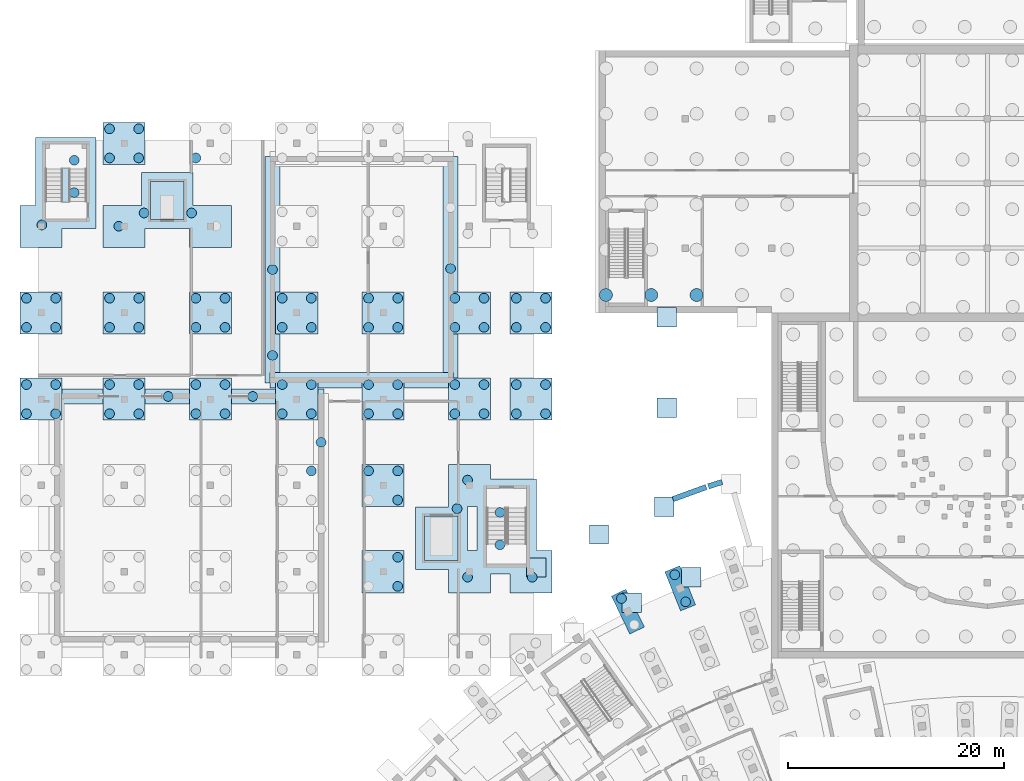
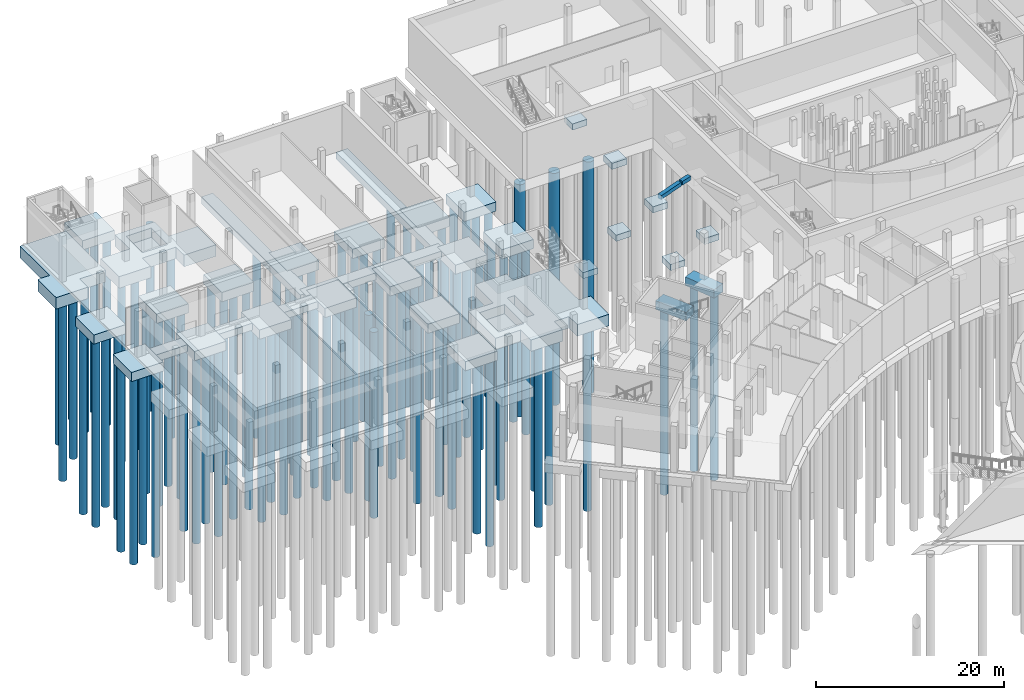
# One storey, part 5 of 66: 91 piles, 37 footings.
"""IFC4 building model written with IfcOpenShell, lengths in metres."""

from ifc_helpers import new_model, si_unit, direction, frame, origin, origin_2d, place, context, subcontext, project, spatial, polyline, circle, outline, extrude, material, material_profile, profile_set, type_object, element, save


model = new_model("IFC4")

# Units and contexts
model_context = context("Model", 3, precision=1e-05, world=origin(), true_north=direction((0.0, 1.0)))
body_context = subcontext(model_context, "Body", "Model", "MODEL_VIEW")
ifc_project = project(units=[si_unit("LENGTHUNIT", "METRE"), si_unit("AREAUNIT", "SQUARE_METRE"), si_unit("VOLUMEUNIT", "CUBIC_METRE"), si_unit("PLANEANGLEUNIT", "RADIAN"), si_unit("MASSUNIT", "GRAM", prefix="KILO")], contexts=[model_context])

# Site, building, storey
site_placement = place(None, origin())
site = spatial("IfcSite", under=ifc_project, at=site_placement, CompositionType="ELEMENT")
building_placement = place(site_placement, origin())
building = spatial("IfcBuilding", under=site, at=building_placement, Name="Lunette Opera House", CompositionType="ELEMENT")
storey_placement = place(building_placement, frame((0.0, 0.0, -6.0)))
storey = spatial("IfcBuildingStorey", under=building, at=storey_placement, Name="B1", CompositionType="ELEMENT", Elevation=-6.0)

# Piles
ifc_material_1 = material(Name="Concrete C40/50", Category="concrete")
ifc_material_profile_1 = material_profile(ifc_material_1, circle(Radius=0.60009765625, at=origin_2d()), Name="BORED PILE 1200")
ifc_profile_set_1 = profile_set([ifc_material_profile_1], Name="Concrete C40/50")
pile_type_1 = type_object("IfcPileType", Name="BORED PILE 1200", PredefinedType="BORED", material=ifc_profile_set_1)
for number, where, z_axis, x_axis, name in (
    (1, (60.64990234375, 97.64990234375, -1.60009765625), (0.0, 0.0, -1.0), (1.0, 0.0, 0.0), "pile-ST-R3-01"),
    (2, (64.85009765625, 97.64990234375, -1.60009765625), (0.0, 0.0, -1.0), (1.0, 0.0, 0.0), "pile-ST-R3-07"),
    (3, (69.050048828125, 97.64990234375, -1.60009765625), (0.0, 0.0, -1.0), (1.0, 0.0, 0.0), "pile-ST-R3-13"),
):
    element("IfcPile", number, at=place(storey_placement, frame(where, z_axis=z_axis, x_axis=x_axis)), inside=storey, type_object=pile_type_1, Name=name, PredefinedType="BORED", context=body_context, shape_type="SweptSolid", body=[
        extrude(circle(Radius=0.60009765625, at=origin_2d()), origin(), (0.0, 0.0, 1.0), 30.10009765625),
    ])
ifc_material_2 = material(Name="Concrete C40/50", Category="concrete")
ifc_material_profile_2 = material_profile(ifc_material_2, circle(Radius=0.449951171875, at=origin_2d()), Name="BORED PILE 900")
ifc_profile_set_2 = profile_set([ifc_material_profile_2], Name="Concrete C40/50")
pile_type_2 = type_object("IfcPileType", Name="BORED PILE 900", PredefinedType="BORED", material=ifc_profile_set_2)
for number, where, z_axis, x_axis, name in (
    (4, (62.092041015625, 69.52099609375, -1.300048828125), (0.0, 0.0, -1.0), (1.0, 0.0, 0.0), "pile-FC-CAP041-B"),
    (5, (68.035888671875, 69.214111328125, -1.300048828125), (0.0, 0.0, -1.0), (1.0, 0.0, 0.0), "pile-FC-CAP042-A"),
    (6, (67.02392578125, 71.718017578125, -1.300048828125), (0.0, 0.0, -1.0), (1.0, 0.0, 0.0), "pile-FC-CAP042-B"),
    (7, (6.949951171875, 86.64990234375, -1.39990234375), (0.0, 0.0, -1.0), (1.0, 0.0, 0.0), "pile-RW-CAP004-1"),
    (8, (9.64990234375, 86.64990234375, -1.39990234375), (0.0, 0.0, -1.0), (1.0, 0.0, 0.0), "pile-RW-CAP004-2"),
    (9, (6.949951171875, 89.35009765625, -1.39990234375), (0.0, 0.0, -1.0), (1.0, 0.0, 0.0), "pile-RW-CAP004-3"),
    (10, (9.64990234375, 89.35009765625, -1.39990234375), (0.0, 0.0, -1.0), (1.0, 0.0, 0.0), "pile-RW-CAP004-4"),
    (11, (6.949951171875, 94.64990234375, -1.39990234375), (0.0, 0.0, -1.0), (1.0, 0.0, 0.0), "pile-RW-CAP005-1"),
    (12, (9.64990234375, 94.64990234375, -1.39990234375), (0.0, 0.0, -1.0), (1.0, 0.0, 0.0), "pile-RW-CAP005-2"),
    (13, (6.949951171875, 97.35009765625, -1.39990234375), (0.0, 0.0, -1.0), (1.0, 0.0, 0.0), "pile-RW-CAP005-3"),
    (14, (9.64990234375, 97.35009765625, -1.39990234375), (0.0, 0.0, -1.0), (1.0, 0.0, 0.0), "pile-RW-CAP005-4"),
    (15, (14.64990234375, 86.64990234375, -1.39990234375), (0.0, 0.0, -1.0), (1.0, 0.0, 0.0), "pile-RW-CAP009-1"),
    (16, (17.35009765625, 86.64990234375, -1.39990234375), (0.0, 0.0, -1.0), (1.0, 0.0, 0.0), "pile-RW-CAP009-2"),
    (17, (14.64990234375, 89.35009765625, -1.39990234375), (0.0, 0.0, -1.0), (1.0, 0.0, 0.0), "pile-RW-CAP009-3"),
    (18, (17.35009765625, 89.35009765625, -1.39990234375), (0.0, 0.0, -1.0), (1.0, 0.0, 0.0), "pile-RW-CAP009-4"),
    (19, (14.64990234375, 94.64990234375, -1.39990234375), (0.0, 0.0, -1.0), (1.0, 0.0, 0.0), "pile-RW-CAP010-1"),
    (20, (17.35009765625, 94.64990234375, -1.39990234375), (0.0, 0.0, -1.0), (1.0, 0.0, 0.0), "pile-RW-CAP010-2"),
    (21, (14.64990234375, 97.35009765625, -1.39990234375), (0.0, 0.0, -1.0), (1.0, 0.0, 0.0), "pile-RW-CAP010-3"),
    (22, (17.35009765625, 97.35009765625, -1.39990234375), (0.0, 0.0, -1.0), (1.0, 0.0, 0.0), "pile-RW-CAP010-4"),
    (23, (14.64990234375, 110.35009765625, -1.39990234375), (0.0, 0.0, -1.0), (1.0, 0.0, 0.0), "pile-RW-CAP011-1"),
    (24, (17.35009765625, 110.35009765625, -1.39990234375), (0.0, 0.0, -1.0), (1.0, 0.0, 0.0), "pile-RW-CAP011-2"),
    (25, (14.64990234375, 113.050048828125, -1.39990234375), (0.0, 0.0, -1.0), (1.0, 0.0, 0.0), "pile-RW-CAP011-3"),
    (26, (17.35009765625, 113.050048828125, -1.39990234375), (0.0, 0.0, -1.0), (1.0, 0.0, 0.0), "pile-RW-CAP011-4"),
    (27, (22.64990234375, 86.64990234375, -1.39990234375), (0.0, 0.0, -1.0), (1.0, 0.0, 0.0), "pile-RW-CAP015-1"),
    (28, (25.35009765625, 86.64990234375, -1.39990234375), (0.0, 0.0, -1.0), (1.0, 0.0, 0.0), "pile-RW-CAP015-2"),
    (29, (22.64990234375, 89.35009765625, -1.39990234375), (0.0, 0.0, -1.0), (1.0, 0.0, 0.0), "pile-RW-CAP015-3"),
    (30, (25.35009765625, 89.35009765625, -1.39990234375), (0.0, 0.0, -1.0), (1.0, 0.0, 0.0), "pile-RW-CAP015-4"),
    (31, (22.64990234375, 94.64990234375, -1.39990234375), (0.0, 0.0, -1.0), (1.0, 0.0, 0.0), "pile-RW-CAP016-1"),
    (32, (25.35009765625, 94.64990234375, -1.39990234375), (0.0, 0.0, -1.0), (1.0, 0.0, 0.0), "pile-RW-CAP016-2"),
    (33, (22.64990234375, 97.35009765625, -1.39990234375), (0.0, 0.0, -1.0), (1.0, 0.0, 0.0), "pile-RW-CAP016-3"),
    (34, (25.35009765625, 97.35009765625, -1.39990234375), (0.0, 0.0, -1.0), (1.0, 0.0, 0.0), "pile-RW-CAP016-4"),
    (35, (22.64990234375, 110.35009765625, -1.39990234375), (0.0, 0.0, -1.0), (1.0, 0.0, 0.0), "pile-RW-CAP017-1"),
    (36, (33.35009765625, 81.35009765625, -1.39990234375), (0.0, 0.0, -1.0), (1.0, 0.0, 0.0), "pile-RW-CAP020-4"),
    (37, (30.64990234375, 86.64990234375, -1.39990234375), (0.0, 0.0, -1.0), (1.0, 0.0, 0.0), "pile-RW-CAP021-1"),
    (38, (33.35009765625, 86.64990234375, -1.39990234375), (0.0, 0.0, -1.0), (1.0, 0.0, 0.0), "pile-RW-CAP021-2"),
    (39, (30.64990234375, 89.35009765625, -1.39990234375), (0.0, 0.0, -1.0), (1.0, 0.0, 0.0), "pile-RW-CAP021-3"),
    (40, (33.35009765625, 89.35009765625, -1.39990234375), (0.0, 0.0, -1.0), (1.0, 0.0, 0.0), "pile-RW-CAP021-4"),
    (41, (30.64990234375, 94.64990234375, -1.39990234375), (0.0, 0.0, -1.0), (1.0, 0.0, 0.0), "pile-RW-CAP022-1"),
    (42, (33.35009765625, 94.64990234375, -1.39990234375), (0.0, 0.0, -1.0), (1.0, 0.0, 0.0), "pile-RW-CAP022-2"),
    (43, (30.64990234375, 97.35009765625, -1.39990234375), (0.0, 0.0, -1.0), (1.0, 0.0, 0.0), "pile-RW-CAP022-3"),
    (44, (33.35009765625, 97.35009765625, -1.39990234375), (0.0, 0.0, -1.0), (1.0, 0.0, 0.0), "pile-RW-CAP022-4"),
    (45, (41.35009765625, 70.64990234375, -1.39990234375), (0.0, 0.0, -1.0), (1.0, 0.0, 0.0), "pile-RW-CAP026-2"),
    (46, (41.35009765625, 73.35009765625, -1.39990234375), (0.0, 0.0, -1.0), (1.0, 0.0, 0.0), "pile-RW-CAP026-4"),
    (47, (41.35009765625, 78.64990234375, -1.39990234375), (0.0, 0.0, -1.0), (1.0, 0.0, 0.0), "pile-RW-CAP027-2"),
    (48, (38.64990234375, 81.35009765625, -1.39990234375), (0.0, 0.0, -1.0), (1.0, 0.0, 0.0), "pile-RW-CAP027-3"),
    (49, (41.35009765625, 81.35009765625, -1.39990234375), (0.0, 0.0, -1.0), (1.0, 0.0, 0.0), "pile-RW-CAP027-4"),
    (50, (38.64990234375, 86.64990234375, -1.39990234375), (0.0, 0.0, -1.0), (1.0, 0.0, 0.0), "pile-RW-CAP028-1"),
    (51, (41.35009765625, 86.64990234375, -1.39990234375), (0.0, 0.0, -1.0), (1.0, 0.0, 0.0), "pile-RW-CAP028-2"),
    (52, (38.64990234375, 89.35009765625, -1.39990234375), (0.0, 0.0, -1.0), (1.0, 0.0, 0.0), "pile-RW-CAP028-3"),
    (53, (41.35009765625, 89.35009765625, -1.39990234375), (0.0, 0.0, -1.0), (1.0, 0.0, 0.0), "pile-RW-CAP028-4"),
    (54, (38.64990234375, 94.64990234375, -1.39990234375), (0.0, 0.0, -1.0), (1.0, 0.0, 0.0), "pile-RW-CAP029-1"),
    (55, (41.35009765625, 94.64990234375, -1.39990234375), (0.0, 0.0, -1.0), (1.0, 0.0, 0.0), "pile-RW-CAP029-2"),
    (56, (38.64990234375, 97.35009765625, -1.39990234375), (0.0, 0.0, -1.0), (1.0, 0.0, 0.0), "pile-RW-CAP029-3"),
    (57, (41.35009765625, 97.35009765625, -1.39990234375), (0.0, 0.0, -1.0), (1.0, 0.0, 0.0), "pile-RW-CAP029-4"),
    (58, (46.64990234375, 86.64990234375, -1.39990234375), (0.0, 0.0, -1.0), (1.0, 0.0, 0.0), "pile-RW-CAP033-1"),
    (59, (49.35009765625, 86.64990234375, -1.39990234375), (0.0, 0.0, -1.0), (1.0, 0.0, 0.0), "pile-RW-CAP033-2"),
    (60, (46.64990234375, 89.35009765625, -1.39990234375), (0.0, 0.0, -1.0), (1.0, 0.0, 0.0), "pile-RW-CAP033-3"),
    (61, (49.35009765625, 89.35009765625, -1.39990234375), (0.0, 0.0, -1.0), (1.0, 0.0, 0.0), "pile-RW-CAP033-4"),
    (62, (46.64990234375, 94.64990234375, -1.39990234375), (0.0, 0.0, -1.0), (1.0, 0.0, 0.0), "pile-RW-CAP034-1"),
    (63, (49.35009765625, 94.64990234375, -1.39990234375), (0.0, 0.0, -1.0), (1.0, 0.0, 0.0), "pile-RW-CAP034-2"),
    (64, (46.64990234375, 97.35009765625, -1.39990234375), (0.0, 0.0, -1.0), (1.0, 0.0, 0.0), "pile-RW-CAP034-3"),
    (65, (49.35009765625, 97.35009765625, -1.39990234375), (0.0, 0.0, -1.0), (1.0, 0.0, 0.0), "pile-RW-CAP034-4"),
    (66, (52.35009765625, 86.64990234375, -1.39990234375), (0.0, 0.0, -1.0), (1.0, 0.0, 0.0), "pile-RW-CAP036-1"),
    (67, (55.050048828125, 86.64990234375, -1.39990234375), (0.0, 0.0, -1.0), (1.0, 0.0, 0.0), "pile-RW-CAP036-2"),
    (68, (52.35009765625, 89.35009765625, -1.39990234375), (0.0, 0.0, -1.0), (1.0, 0.0, 0.0), "pile-RW-CAP036-3"),
    (69, (55.050048828125, 89.35009765625, -1.39990234375), (0.0, 0.0, -1.0), (1.0, 0.0, 0.0), "pile-RW-CAP036-4"),
    (70, (52.35009765625, 94.64990234375, -1.39990234375), (0.0, 0.0, -1.0), (1.0, 0.0, 0.0), "pile-RW-CAP037-1"),
    (71, (55.050048828125, 94.64990234375, -1.39990234375), (0.0, 0.0, -1.0), (1.0, 0.0, 0.0), "pile-RW-CAP037-2"),
    (72, (52.35009765625, 97.35009765625, -1.39990234375), (0.0, 0.0, -1.0), (1.0, 0.0, 0.0), "pile-RW-CAP037-3"),
    (73, (55.050048828125, 97.35009765625, -1.39990234375), (0.0, 0.0, -1.0), (1.0, 0.0, 0.0), "pile-RW-CAP037-4"),
    (74, (46.85009765625, 77.85009765625, -1.699951171875), (0.0, 0.0, -1.0), (1.0, 0.0, 0.0), "pile-RW-RAFT01-01"),
    (75, (47.824951171875, 71.5, -1.699951171875), (0.0, 0.0, -1.0), (1.0, 0.0, 0.0), "pile-RW-RAFT01-02"),
    (76, (47.824951171875, 80.5, -1.699951171875), (0.0, 0.0, -1.0), (1.0, 0.0, 0.0), "pile-RW-RAFT01-03"),
    (77, (50.824951171875, 74.5, -1.699951171875), (0.0, 0.0, -1.0), (1.0, 0.0, 0.0), "pile-RW-RAFT01-04"),
    (78, (50.824951171875, 77.5, -1.699951171875), (0.0, 0.0, -1.0), (1.0, 0.0, 0.0), "pile-RW-RAFT01-05"),
    (79, (53.824951171875, 71.5, -1.699951171875), (0.0, 0.0, -1.0), (1.0, 0.0, 0.0), "pile-RW-RAFT01-06"),
    (80, (15.5, 104.02490234375, -1.699951171875), (0.0, 0.0, -1.0), (1.0, 0.0, 0.0), "pile-RW-RAFT03-01"),
    (81, (17.85009765625, 105.25, -1.699951171875), (0.0, 0.0, -1.0), (1.0, 0.0, 0.0), "pile-RW-RAFT03-02"),
    (82, (22.25, 105.25, -1.699951171875), (0.0, 0.0, -1.0), (1.0, 0.0, 0.0), "pile-RW-RAFT03-03"),
    (83, (8.375, 104.14208984375, -1.699951171875), (0.0, 0.0, -1.0), (1.0, 0.0, 0.0), "pile-RW-RAFT04-01"),
    (84, (11.375, 107.14208984375, -1.699951171875), (0.0, 0.0, -1.0), (1.0, 0.0, 0.0), "pile-RW-RAFT04-02"),
    (85, (11.375, 110.14208984375, -1.699951171875), (0.0, 0.0, -1.0), (1.0, 0.0, 0.0), "pile-RW-RAFT04-03"),
    (86, (29.75, 92.050048828125, -1.10009765625), (0.0, 0.0, -1.0), (1.0, 0.0, 0.0), "pile-RW-SFOHW-1"),
    (87, (29.75, 100.0, -1.10009765625), (0.0, 0.0, -1.0), (1.0, 0.0, 0.0), "pile-RW-SFOHW-2"),
    (88, (46.25, 100.10009765625, -1.10009765625), (0.0, 0.0, -1.0), (1.0, 0.0, 0.0), "pile-RW-SFOHE-1"),
    (89, (20.0830078125, 88.25, -1.10009765625), (0.0, 0.0, -1.0), (1.0, 0.0, 0.0), "pile-RW-SFHWN-1"),
    (90, (27.9169921875, 88.25, -1.10009765625), (0.0, 0.0, -1.0), (1.0, 0.0, 0.0), "pile-RW-SFHWN-2"),
    (91, (34.25, 84.0, -1.10009765625), (0.0, 0.0, -1.0), (1.0, 0.0, 0.0), "pile-RW-SFHWE-2"),
):
    element("IfcPile", number, at=place(storey_placement, frame(where, z_axis=z_axis, x_axis=x_axis)), inside=storey, type_object=pile_type_2, Name=name, PredefinedType="BORED", context=body_context, shape_type="SweptSolid", body=[
        extrude(circle(Radius=0.449951171875, at=origin_2d()), origin(), (0.0, 0.0, 1.0), 24.10009765625),
    ])

# Footings
ifc_material_3 = material(Name="Concrete C40/50", Category="concrete")
footing_type_1 = type_object("IfcFootingType", Name="CORE RAFT 1500", PredefinedType="PILE_CAP", material=ifc_material_3)
footing_1_placement = place(storey_placement, frame((0.0, 0.0, -1.800048828125)))
element("IfcFooting", 92, at=footing_1_placement, inside=storey, type_object=footing_type_1, Name="ftg-RW-RAFT01", PredefinedType="PILE_CAP", context=body_context, shape_type="SweptSolid", body=[
    extrude(outline(polyline([(43.0, 78.0), (43.0, 72.199951171875), (46.050048828125, 72.199951171875), (46.050048828125, 70.050048828125), (49.949951171875, 70.050048828125), (49.949951171875, 71.800048828125), (51.75, 71.800048828125), (51.75, 70.050048828125), (55.64990234375, 70.050048828125), (55.64990234375, 73.949951171875), (54.199951171875, 73.949951171875), (54.199951171875, 80.60009765625), (49.949951171875, 80.60009765625), (49.949951171875, 81.949951171875), (46.050048828125, 81.949951171875), (46.050048828125, 78.0), (43.0, 78.0)]), holes=[polyline([(48.699951171875, 73.949951171875), (47.800048828125, 73.949951171875), (47.800048828125, 78.050048828125), (48.699951171875, 78.050048828125), (48.699951171875, 73.949951171875)]), polyline([(46.949951171875, 77.14990234375), (46.949951171875, 73.050048828125), (43.85009765625, 73.050048828125), (43.85009765625, 77.14990234375), (46.949951171875, 77.14990234375)])]), origin(), (0.0, 0.0, 1.0), 1.5),
])
footing_2_placement = place(storey_placement, frame((0.0, 0.0, -1.800048828125)))
element("IfcFooting", 93, at=footing_2_placement, inside=storey, type_object=footing_type_1, Name="ftg-RW-RAFT03", PredefinedType="PILE_CAP", context=body_context, shape_type="SweptSolid", body=[
    extrude(outline(polyline([(22.39990234375, 109.0), (17.60009765625, 109.0), (17.60009765625, 105.949951171875), (14.050048828125, 105.949951171875), (14.050048828125, 102.050048828125), (17.949951171875, 102.050048828125), (17.949951171875, 103.800048828125), (22.050048828125, 103.800048828125), (22.050048828125, 102.050048828125), (25.949951171875, 102.050048828125), (25.949951171875, 105.949951171875), (22.39990234375, 105.949951171875), (22.39990234375, 109.0)]), holes=[polyline([(21.550048828125, 108.14990234375), (21.550048828125, 104.64990234375), (18.449951171875, 104.64990234375), (18.449951171875, 108.14990234375), (21.550048828125, 108.14990234375)])]), origin(), (0.0, 0.0, 1.0), 1.5),
])
footing_3_placement = place(storey_placement, frame((0.0, 0.0, -1.800048828125)))
element("IfcFooting", 94, at=footing_3_placement, inside=storey, type_object=footing_type_1, Name="ftg-RW-RAFT04", PredefinedType="PILE_CAP", context=body_context, shape_type="SweptSolid", body=[
    extrude(outline(polyline([(7.800048828125, 112.235107421875), (7.800048828125, 105.949951171875), (6.35009765625, 105.949951171875), (6.35009765625, 102.050048828125), (10.25, 102.050048828125), (10.25, 103.800048828125), (13.39990234375, 103.800048828125), (13.39990234375, 112.235107421875), (7.800048828125, 112.235107421875)])), origin(), (0.0, 0.0, 1.0), 1.5),
])
ifc_material_4 = material(Name="Concrete C35/45", Category="concrete")
footing_type_2 = type_object("IfcFootingType", Name="LIFT PIT FLOOR 300", PredefinedType="PAD_FOOTING", material=ifc_material_4)
footing_4_placement = place(storey_placement, frame((0.0, 0.0, -1.800048828125)))
element("IfcFooting", 95, at=footing_4_placement, inside=storey, type_object=footing_type_2, Name="LF5 pit floor", PredefinedType="PAD_FOOTING", context=body_context, shape_type="SweptSolid", body=[
    extrude(outline(polyline([(21.550048828125, 104.64990234375), (18.449951171875, 104.64990234375), (18.449951171875, 108.14990234375), (21.550048828125, 108.14990234375), (21.550048828125, 104.64990234375)])), origin(), (0.0, 0.0, 1.0), 0.300048828125),
])
footing_5_placement = place(storey_placement, frame((0.0, 0.0, -1.800048828125)))
element("IfcFooting", 96, at=footing_5_placement, inside=storey, type_object=footing_type_2, Name="LG1 pit floor", PredefinedType="PAD_FOOTING", context=body_context, shape_type="SweptSolid", body=[
    extrude(outline(polyline([(46.949951171875, 73.050048828125), (43.85009765625, 73.050048828125), (43.85009765625, 77.14990234375), (46.949951171875, 77.14990234375), (46.949951171875, 73.050048828125)])), origin(), (0.0, 0.0, 1.0), 0.300048828125),
])
ifc_material_5 = material(Name="Concrete C35/45", Category="concrete")
footing_type_3 = type_object("IfcFootingType", Name="PAD FOOTING 1800X1800", PredefinedType="PAD_FOOTING", material=ifc_material_5)
footing_6_placement = place(storey_placement, frame((0.0, 0.0, 4.219970703125)))
element("IfcFooting", 97, at=footing_6_placement, inside=storey, type_object=footing_type_3, Name="ftg-PP-PAD-PC-WO01", PredefinedType="PAD_FOOTING", context=body_context, shape_type="SweptSolid", body=[
    extrude(outline(polyline([(55.10009765625, 71.5), (55.10009765625, 73.300048828125), (53.300048828125, 73.300048828125), (53.300048828125, 71.5), (55.10009765625, 71.5)])), origin(), (0.0, 0.0, 1.0), 0.800048828125),
])
footing_7_placement = place(storey_placement, frame((0.0, 0.0, 4.14990234375)))
element("IfcFooting", 98, at=footing_7_placement, inside=storey, type_object=footing_type_3, Name="ftg-PP-PAD-PC-WI02", PredefinedType="PAD_FOOTING", context=body_context, shape_type="SweptSolid", body=[
    extrude(outline(polyline([(63.923095703125, 68.238037109375), (63.923095703125, 70.0380859375), (62.123046875, 70.0380859375), (62.123046875, 68.238037109375), (63.923095703125, 68.238037109375)])), origin(), (0.0, 0.0, 1.0), 0.800048828125),
])
footing_8_placement = place(storey_placement, frame((0.0, 0.0, 5.169921875)))
element("IfcFooting", 99, at=footing_8_placement, inside=storey, type_object=footing_type_3, Name="ftg-PP-PAD-PC-WO02", PredefinedType="PAD_FOOTING", context=body_context, shape_type="SweptSolid", body=[
    extrude(outline(polyline([(60.908935546875, 74.555908203125), (60.908935546875, 76.35595703125), (59.10888671875, 76.35595703125), (59.10888671875, 74.555908203125), (60.908935546875, 74.555908203125)])), origin(), (0.0, 0.0, 1.0), 0.800048828125),
])
footing_9_placement = place(storey_placement, frame((0.0, 0.0, 4.14990234375)))
element("IfcFooting", 100, at=footing_9_placement, inside=storey, type_object=footing_type_3, Name="ftg-PP-PAD-PC-WI03", PredefinedType="PAD_FOOTING", context=body_context, shape_type="SweptSolid", body=[
    extrude(outline(polyline([(69.448974609375, 70.612060546875), (69.448974609375, 72.412109375), (67.64892578125, 72.412109375), (67.64892578125, 70.612060546875), (69.448974609375, 70.612060546875)])), origin(), (0.0, 0.0, 1.0), 0.800048828125),
])
footing_10_placement = place(storey_placement, frame((0.0, 0.0, 5.169921875)))
element("IfcFooting", 101, at=footing_10_placement, inside=storey, type_object=footing_type_3, Name="ftg-PP-PAD-PC-WO03", PredefinedType="PAD_FOOTING", context=body_context, shape_type="SweptSolid", body=[
    extrude(outline(polyline([(66.93994140625, 77.14697265625), (66.93994140625, 78.947021484375), (65.139892578125, 78.947021484375), (65.139892578125, 77.14697265625), (66.93994140625, 77.14697265625)])), origin(), (0.0, 0.0, 1.0), 0.800048828125),
])
footing_11_placement = place(storey_placement, frame((0.0, 0.0, 5.169921875)))
element("IfcFooting", 102, at=footing_11_placement, inside=storey, type_object=footing_type_3, Name="ftg-PP-PADFLW1A", PredefinedType="PAD_FOOTING", context=body_context, shape_type="SweptSolid", body=[
    extrude(outline(polyline([(67.199951171875, 86.300048828125), (67.199951171875, 88.10009765625), (65.39990234375, 88.10009765625), (65.39990234375, 86.300048828125), (67.199951171875, 86.300048828125)])), origin(), (0.0, 0.0, 1.0), 0.800048828125),
])
footing_12_placement = place(storey_placement, frame((0.0, 0.0, 5.169921875)))
element("IfcFooting", 103, at=footing_12_placement, inside=storey, type_object=footing_type_3, Name="ftg-PP-PADFLW2A", PredefinedType="PAD_FOOTING", context=body_context, shape_type="SweptSolid", body=[
    extrude(outline(polyline([(67.199951171875, 94.699951171875), (67.199951171875, 96.5), (65.39990234375, 96.5), (65.39990234375, 94.699951171875), (67.199951171875, 94.699951171875)])), origin(), (0.0, 0.0, 1.0), 0.800048828125),
])
ifc_material_6 = material(Name="Concrete C40/50", Category="concrete")
footing_type_4 = type_object("IfcFootingType", Name="PILE CAP 3900X1500", PredefinedType="PILE_CAP", material=ifc_material_6)
footing_13_placement = place(storey_placement, frame((0.0, 0.0, -1.39990234375)))
element("IfcFooting", 104, at=footing_13_placement, inside=storey, type_object=footing_type_4, Name="ftg-FC-CAP041", PredefinedType="PILE_CAP", context=body_context, shape_type="SweptSolid", body=[
    extrude(outline(polyline([(62.864990234375, 66.22705078125), (64.212890625, 66.884033203125), (62.5029296875, 70.388916015625), (61.155029296875, 69.73193359375), (62.864990234375, 66.22705078125)])), origin(), (0.0, 0.0, 1.0), 1.099853515625),
])
footing_14_placement = place(storey_placement, frame((0.0, 0.0, -1.39990234375)))
element("IfcFooting", 105, at=footing_14_placement, inside=storey, type_object=footing_type_4, Name="ftg-FC-CAP042", PredefinedType="PILE_CAP", context=body_context, shape_type="SweptSolid", body=[
    extrude(outline(polyline([(67.56494140625, 68.376953125), (68.9560546875, 68.93896484375), (67.4951171875, 72.554931640625), (66.10400390625, 71.992919921875), (67.56494140625, 68.376953125)])), origin(), (0.0, 0.0, 1.0), 1.099853515625),
])
ifc_material_7 = material(Name="Concrete C35/45", Category="concrete")
footing_type_5 = type_object("IfcFootingType", Name="PILE CAP 3900X3900", PredefinedType="PILE_CAP", material=ifc_material_7)
footing_15_placement = place(storey_placement, frame((0.0, 0.0, -1.5)))
element("IfcFooting", 106, at=footing_15_placement, inside=storey, type_object=footing_type_5, Name="ftg-RW-CAP004", PredefinedType="PILE_CAP", context=body_context, shape_type="SweptSolid", body=[
    extrude(outline(polyline([(10.25, 86.050048828125), (10.25, 89.949951171875), (6.35009765625, 89.949951171875), (6.35009765625, 86.050048828125), (10.25, 86.050048828125)])), origin(), (0.0, 0.0, 1.0), 1.199951171875),
])
footing_16_placement = place(storey_placement, frame((0.0, 0.0, -1.5)))
element("IfcFooting", 107, at=footing_16_placement, inside=storey, type_object=footing_type_5, Name="ftg-RW-CAP005", PredefinedType="PILE_CAP", context=body_context, shape_type="SweptSolid", body=[
    extrude(outline(polyline([(10.25, 94.050048828125), (10.25, 97.949951171875), (6.35009765625, 97.949951171875), (6.35009765625, 94.050048828125), (10.25, 94.050048828125)])), origin(), (0.0, 0.0, 1.0), 1.199951171875),
])
footing_17_placement = place(storey_placement, frame((0.0, 0.0, -1.5)))
element("IfcFooting", 108, at=footing_17_placement, inside=storey, type_object=footing_type_5, Name="ftg-RW-CAP009", PredefinedType="PILE_CAP", context=body_context, shape_type="SweptSolid", body=[
    extrude(outline(polyline([(17.949951171875, 86.050048828125), (17.949951171875, 89.949951171875), (14.050048828125, 89.949951171875), (14.050048828125, 86.050048828125), (17.949951171875, 86.050048828125)])), origin(), (0.0, 0.0, 1.0), 1.199951171875),
])
footing_18_placement = place(storey_placement, frame((0.0, 0.0, -1.5)))
element("IfcFooting", 109, at=footing_18_placement, inside=storey, type_object=footing_type_5, Name="ftg-RW-CAP010", PredefinedType="PILE_CAP", context=body_context, shape_type="SweptSolid", body=[
    extrude(outline(polyline([(17.949951171875, 94.050048828125), (17.949951171875, 97.949951171875), (14.050048828125, 97.949951171875), (14.050048828125, 94.050048828125), (17.949951171875, 94.050048828125)])), origin(), (0.0, 0.0, 1.0), 1.199951171875),
])
footing_19_placement = place(storey_placement, frame((0.0, 0.0, -1.5)))
element("IfcFooting", 110, at=footing_19_placement, inside=storey, type_object=footing_type_5, Name="ftg-RW-CAP011", PredefinedType="PILE_CAP", context=body_context, shape_type="SweptSolid", body=[
    extrude(outline(polyline([(17.949951171875, 109.75), (17.949951171875, 113.64990234375), (14.050048828125, 113.64990234375), (14.050048828125, 109.75), (17.949951171875, 109.75)])), origin(), (0.0, 0.0, 1.0), 1.199951171875),
])
footing_20_placement = place(storey_placement, frame((0.0, 0.0, -1.5)))
element("IfcFooting", 111, at=footing_20_placement, inside=storey, type_object=footing_type_5, Name="ftg-RW-CAP015", PredefinedType="PILE_CAP", context=body_context, shape_type="SweptSolid", body=[
    extrude(outline(polyline([(25.949951171875, 86.050048828125), (25.949951171875, 89.949951171875), (22.050048828125, 89.949951171875), (22.050048828125, 86.050048828125), (25.949951171875, 86.050048828125)])), origin(), (0.0, 0.0, 1.0), 1.199951171875),
])
footing_21_placement = place(storey_placement, frame((0.0, 0.0, -1.5)))
element("IfcFooting", 112, at=footing_21_placement, inside=storey, type_object=footing_type_5, Name="ftg-RW-CAP016", PredefinedType="PILE_CAP", context=body_context, shape_type="SweptSolid", body=[
    extrude(outline(polyline([(25.949951171875, 94.050048828125), (25.949951171875, 97.949951171875), (22.050048828125, 97.949951171875), (22.050048828125, 94.050048828125), (25.949951171875, 94.050048828125)])), origin(), (0.0, 0.0, 1.0), 1.199951171875),
])
footing_22_placement = place(storey_placement, frame((0.0, 0.0, -1.5)))
element("IfcFooting", 113, at=footing_22_placement, inside=storey, type_object=footing_type_5, Name="ftg-RW-CAP021", PredefinedType="PILE_CAP", context=body_context, shape_type="SweptSolid", body=[
    extrude(outline(polyline([(33.949951171875, 86.050048828125), (33.949951171875, 89.949951171875), (30.050048828125, 89.949951171875), (30.050048828125, 86.050048828125), (33.949951171875, 86.050048828125)])), origin(), (0.0, 0.0, 1.0), 1.199951171875),
])
footing_23_placement = place(storey_placement, frame((0.0, 0.0, -1.5)))
element("IfcFooting", 114, at=footing_23_placement, inside=storey, type_object=footing_type_5, Name="ftg-RW-CAP022", PredefinedType="PILE_CAP", context=body_context, shape_type="SweptSolid", body=[
    extrude(outline(polyline([(33.949951171875, 94.050048828125), (33.949951171875, 97.949951171875), (30.050048828125, 97.949951171875), (30.050048828125, 94.050048828125), (33.949951171875, 94.050048828125)])), origin(), (0.0, 0.0, 1.0), 1.199951171875),
])
footing_24_placement = place(storey_placement, frame((0.0, 0.0, -1.5)))
element("IfcFooting", 115, at=footing_24_placement, inside=storey, type_object=footing_type_5, Name="ftg-RW-CAP026", PredefinedType="PILE_CAP", context=body_context, shape_type="SweptSolid", body=[
    extrude(outline(polyline([(41.949951171875, 70.050048828125), (41.949951171875, 73.949951171875), (38.050048828125, 73.949951171875), (38.050048828125, 70.050048828125), (41.949951171875, 70.050048828125)])), origin(), (0.0, 0.0, 1.0), 1.199951171875),
])
footing_25_placement = place(storey_placement, frame((0.0, 0.0, -1.5)))
element("IfcFooting", 116, at=footing_25_placement, inside=storey, type_object=footing_type_5, Name="ftg-RW-CAP027", PredefinedType="PILE_CAP", context=body_context, shape_type="SweptSolid", body=[
    extrude(outline(polyline([(41.949951171875, 78.050048828125), (41.949951171875, 81.949951171875), (38.050048828125, 81.949951171875), (38.050048828125, 78.050048828125), (41.949951171875, 78.050048828125)])), origin(), (0.0, 0.0, 1.0), 1.199951171875),
])
footing_26_placement = place(storey_placement, frame((0.0, 0.0, -1.5)))
element("IfcFooting", 117, at=footing_26_placement, inside=storey, type_object=footing_type_5, Name="ftg-RW-CAP028", PredefinedType="PILE_CAP", context=body_context, shape_type="SweptSolid", body=[
    extrude(outline(polyline([(41.949951171875, 86.050048828125), (41.949951171875, 89.949951171875), (38.050048828125, 89.949951171875), (38.050048828125, 86.050048828125), (41.949951171875, 86.050048828125)])), origin(), (0.0, 0.0, 1.0), 1.199951171875),
])
footing_27_placement = place(storey_placement, frame((0.0, 0.0, -1.5)))
element("IfcFooting", 118, at=footing_27_placement, inside=storey, type_object=footing_type_5, Name="ftg-RW-CAP029", PredefinedType="PILE_CAP", context=body_context, shape_type="SweptSolid", body=[
    extrude(outline(polyline([(41.949951171875, 94.050048828125), (41.949951171875, 97.949951171875), (38.050048828125, 97.949951171875), (38.050048828125, 94.050048828125), (41.949951171875, 94.050048828125)])), origin(), (0.0, 0.0, 1.0), 1.199951171875),
])
footing_28_placement = place(storey_placement, frame((0.0, 0.0, -1.5)))
element("IfcFooting", 119, at=footing_28_placement, inside=storey, type_object=footing_type_5, Name="ftg-RW-CAP033", PredefinedType="PILE_CAP", context=body_context, shape_type="SweptSolid", body=[
    extrude(outline(polyline([(49.949951171875, 86.050048828125), (49.949951171875, 89.949951171875), (46.050048828125, 89.949951171875), (46.050048828125, 86.050048828125), (49.949951171875, 86.050048828125)])), origin(), (0.0, 0.0, 1.0), 1.199951171875),
])
footing_29_placement = place(storey_placement, frame((0.0, 0.0, -1.5)))
element("IfcFooting", 120, at=footing_29_placement, inside=storey, type_object=footing_type_5, Name="ftg-RW-CAP034", PredefinedType="PILE_CAP", context=body_context, shape_type="SweptSolid", body=[
    extrude(outline(polyline([(49.949951171875, 94.050048828125), (49.949951171875, 97.949951171875), (46.050048828125, 97.949951171875), (46.050048828125, 94.050048828125), (49.949951171875, 94.050048828125)])), origin(), (0.0, 0.0, 1.0), 1.199951171875),
])
footing_30_placement = place(storey_placement, frame((0.0, 0.0, -1.5)))
element("IfcFooting", 121, at=footing_30_placement, inside=storey, type_object=footing_type_5, Name="ftg-RW-CAP036", PredefinedType="PILE_CAP", context=body_context, shape_type="SweptSolid", body=[
    extrude(outline(polyline([(55.64990234375, 86.050048828125), (55.64990234375, 89.949951171875), (51.75, 89.949951171875), (51.75, 86.050048828125), (55.64990234375, 86.050048828125)])), origin(), (0.0, 0.0, 1.0), 1.199951171875),
])
footing_31_placement = place(storey_placement, frame((0.0, 0.0, -1.5)))
element("IfcFooting", 122, at=footing_31_placement, inside=storey, type_object=footing_type_5, Name="ftg-RW-CAP037", PredefinedType="PILE_CAP", context=body_context, shape_type="SweptSolid", body=[
    extrude(outline(polyline([(55.64990234375, 94.050048828125), (55.64990234375, 97.949951171875), (51.75, 97.949951171875), (51.75, 94.050048828125), (55.64990234375, 94.050048828125)])), origin(), (0.0, 0.0, 1.0), 1.199951171875),
])
ifc_material_8 = material(Name="Concrete C35/45", Category="concrete")
footing_type_6 = type_object("IfcFootingType", Name="STRIP FOOTING 1800X900", PredefinedType="STRIP_FOOTING", material=ifc_material_8)
footing_32_placement = place(storey_placement, frame((0.0, 0.0, -1.199951171875)))
element("IfcFooting", 123, at=footing_32_placement, inside=storey, type_object=footing_type_6, Name="ftg-RW-SFOHS", PredefinedType="STRIP_FOOTING", context=body_context, shape_type="SweptSolid", body=[
    extrude(outline(polyline([(29.5, 90.449951171875), (29.5, 89.050048828125), (46.5, 89.050048828125), (46.5, 90.449951171875), (29.5, 90.449951171875)])), origin(), (0.0, 0.0, 1.0), 0.89990234375),
])
footing_33_placement = place(storey_placement, frame((0.0, 0.0, -1.199951171875)))
element("IfcFooting", 124, at=footing_33_placement, inside=storey, type_object=footing_type_6, Name="ftg-RW-SFOHW", PredefinedType="STRIP_FOOTING", context=body_context, shape_type="SweptSolid", body=[
    extrude(outline(polyline([(29.050048828125, 89.5), (30.449951171875, 89.5), (30.449951171875, 110.5), (29.050048828125, 110.5), (29.050048828125, 89.5)])), origin(), (0.0, 0.0, 1.0), 0.89990234375),
])
footing_34_placement = place(storey_placement, frame((0.0, 0.0, -1.199951171875)))
element("IfcFooting", 125, at=footing_34_placement, inside=storey, type_object=footing_type_6, Name="ftg-RW-SFOHE", PredefinedType="STRIP_FOOTING", context=body_context, shape_type="SweptSolid", body=[
    extrude(outline(polyline([(45.550048828125, 89.5), (46.949951171875, 89.5), (46.949951171875, 110.5), (45.550048828125, 110.5), (45.550048828125, 89.5)])), origin(), (0.0, 0.0, 1.0), 0.89990234375),
])
footing_35_placement = place(storey_placement, frame((0.0, 0.0, -1.199951171875)))
element("IfcFooting", 126, at=footing_35_placement, inside=storey, type_object=footing_type_6, Name="ftg-RW-SFHWN", PredefinedType="STRIP_FOOTING", context=body_context, shape_type="SweptSolid", body=[
    extrude(outline(polyline([(9.5, 88.949951171875), (9.5, 87.550048828125), (34.5, 87.550048828125), (34.5, 88.949951171875), (9.5, 88.949951171875)])), origin(), (0.0, 0.0, 1.0), 0.89990234375),
])
ifc_material_9 = material(Name="Concrete C35/45", Category="concrete")
footing_type_7 = type_object("IfcFootingType", Name="STRIP FOOTING 500X500", PredefinedType="STRIP_FOOTING", material=ifc_material_9)
footing_36_placement = place(storey_placement, frame((0.0, 0.0, 5.469970703125)))
element("IfcFooting", 127, at=footing_36_placement, inside=storey, type_object=footing_type_7, Name="ftg-PP-PP-L00-P002-1", PredefinedType="STRIP_FOOTING", context=body_context, shape_type="SweptSolid", body=[
    extrude(outline(polyline([(66.780029296875, 78.967041015625), (69.864013671875, 80.090087890625), (70.034912109375, 79.6201171875), (66.950927734375, 78.4970703125), (66.780029296875, 78.967041015625)])), origin(), (0.0, 0.0, 1.0), 0.5),
])
footing_37_placement = place(storey_placement, frame((0.0, 0.0, 5.469970703125)))
element("IfcFooting", 128, at=footing_37_placement, inside=storey, type_object=footing_type_7, Name="ftg-PP-PP-L00-P003-1", PredefinedType="STRIP_FOOTING", context=body_context, shape_type="SweptSolid", body=[
    extrude(outline(polyline([(70.06494140625, 80.157958984375), (71.3359375, 80.552001953125), (71.48388671875, 80.074951171875), (70.212890625, 79.679931640625), (70.06494140625, 80.157958984375)])), origin(), (0.0, 0.0, 1.0), 0.5),
])

save(model, "model.ifc")
